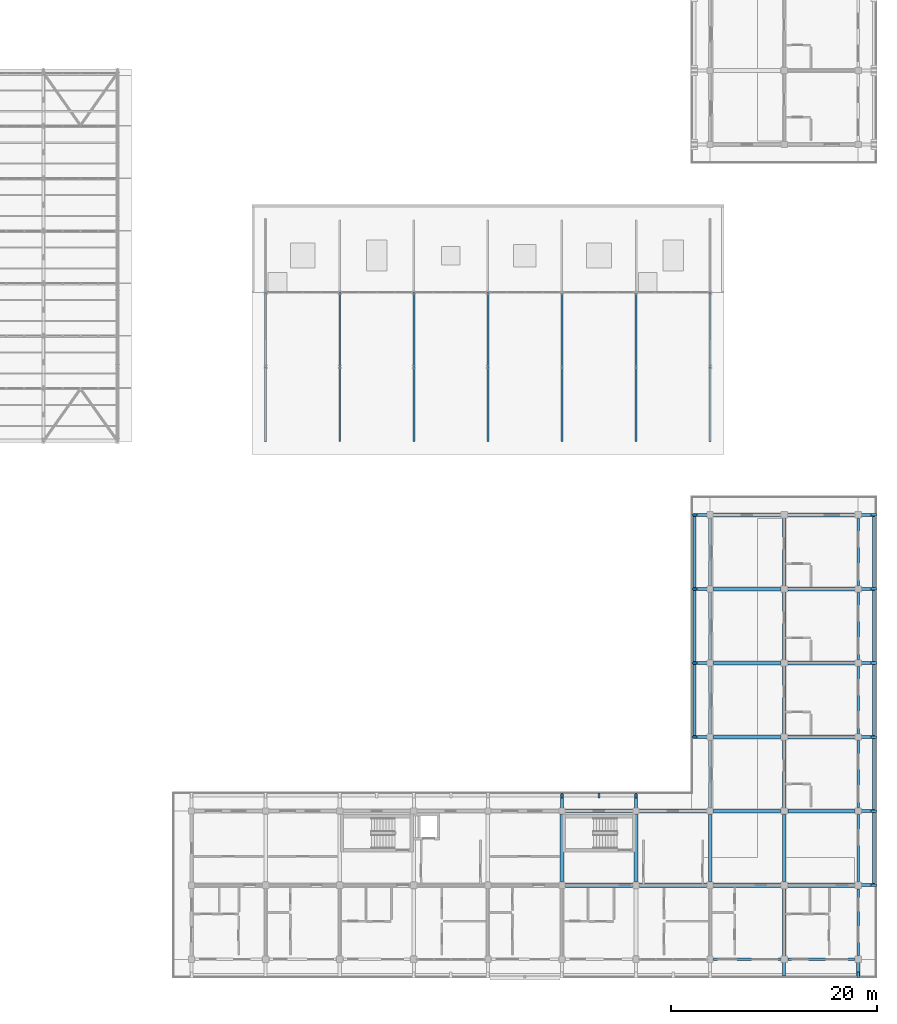
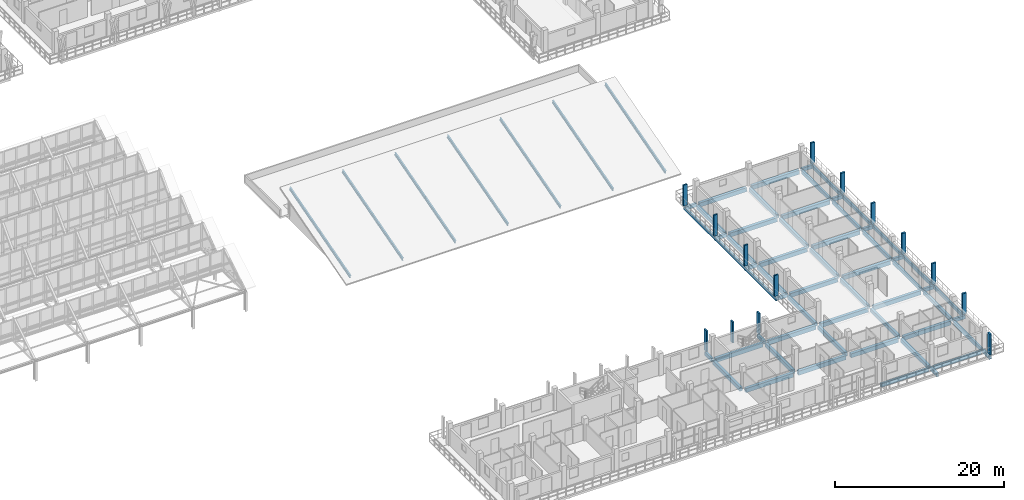
# One storey, part 81 of 157: 67 beams, 14 members.
"""IFC4 building model written with IfcOpenShell, lengths in metres."""

from ifc_helpers import new_model, si_unit, direction, frame, origin, origin_2d, place, context, subcontext, project, spatial, rectangle, i_section, extrude, material, material_profile, profile_set, type_object, element, save


model = new_model("IFC4")

# Units and contexts
model_context = context("Model", 3, precision=1e-05, world=origin(), true_north=direction((0.0, 1.0)))
body_context = subcontext(model_context, "Body", "Model", "MODEL_VIEW")
ifc_project = project(units=[si_unit("LENGTHUNIT", "METRE"), si_unit("AREAUNIT", "SQUARE_METRE"), si_unit("VOLUMEUNIT", "CUBIC_METRE"), si_unit("PLANEANGLEUNIT", "RADIAN"), si_unit("MASSUNIT", "GRAM", prefix="KILO")], contexts=[model_context])

# Site, building, storey
site_placement = place(None, origin())
site = spatial("IfcSite", under=ifc_project, at=site_placement, CompositionType="ELEMENT")
building_placement = place(site_placement, origin())
building = spatial("IfcBuilding", under=site, at=building_placement, Name="Suanplinth Sawtooth Commons", CompositionType="ELEMENT")
storey_placement = place(building_placement, frame((0.0, 0.0, 9.0)))
storey = spatial("IfcBuildingStorey", under=building, at=storey_placement, Name="L02", CompositionType="ELEMENT", Elevation=9.0)

# Beams
ifc_material_1 = material(Name="Precast concrete C40/50", Category="concrete")
ifc_material_profile_1 = material_profile(ifc_material_1, rectangle(XDim=0.39990234375, YDim=0.60009765625, at=origin_2d()), Name="PC-GDR 400x600")
ifc_profile_set_1 = profile_set([ifc_material_profile_1], Name="Precast concrete C40/50")
beam_type_1 = type_object("IfcBeamType", Name="B-05", PredefinedType="USERDEFINED", material=ifc_profile_set_1)
for number, where, z_axis, x_axis, name in (
    (1, (158.75, 7.199951171875, -0.550048828125), (1.0, 0.0, 0.0), (0.0, 1.0, 0.0), "BMX-L02-C-22-1"),
    (2, (158.75, 14.39990234375, -0.550048828125), (1.0, 0.0, 0.0), (0.0, 1.0, 0.0), "BMX-L02-C-22-2"),
    (3, (165.949951171875, 7.199951171875, -0.550048828125), (1.0, 0.0, 0.0), (0.0, 1.0, 0.0), "BMX-L02-C-23-1"),
    (4, (165.949951171875, 14.39990234375, -0.550048828125), (1.0, 0.0, 0.0), (0.0, 1.0, 0.0), "BMX-L02-C-23-2"),
    (5, (173.14990234375, 7.199951171875, -0.550048828125), (1.0, 0.0, 0.0), (0.0, 1.0, 0.0), "BMX-L02-C-24-1"),
    (6, (173.14990234375, 14.39990234375, -0.550048828125), (1.0, 0.0, 0.0), (0.0, 1.0, 0.0), "BMX-L02-C-24-2"),
    (7, (173.14990234375, 21.60009765625, -0.550048828125), (1.0, 0.0, 0.0), (0.0, 1.0, 0.0), "BMX-L02-C-24-3"),
    (8, (173.14990234375, 28.800048828125, -0.550048828125), (1.0, 0.0, 0.0), (0.0, 1.0, 0.0), "BMX-L02-C-24-4"),
    (9, (173.14990234375, 36.0, -0.550048828125), (1.0, 0.0, 0.0), (0.0, 1.0, 0.0), "BMX-L02-C-24-5"),
    (10, (173.14990234375, 43.199951171875, -0.550048828125), (1.0, 0.0, 0.0), (0.0, 1.0, 0.0), "BMX-L02-C-24-6"),
    (11, (180.35009765625, 7.199951171875, -0.550048828125), (1.0, 0.0, 0.0), (0.0, 1.0, 0.0), "BMX-L02-C-25-1"),
    (12, (180.35009765625, 14.39990234375, -0.550048828125), (1.0, 0.0, 0.0), (0.0, 1.0, 0.0), "BMX-L02-C-25-2"),
    (13, (180.35009765625, 21.60009765625, -0.550048828125), (1.0, 0.0, 0.0), (0.0, 1.0, 0.0), "BMX-L02-C-25-3"),
    (14, (180.35009765625, 28.800048828125, -0.550048828125), (1.0, 0.0, 0.0), (0.0, 1.0, 0.0), "BMX-L02-C-25-4"),
    (15, (180.35009765625, 36.0, -0.550048828125), (1.0, 0.0, 0.0), (0.0, 1.0, 0.0), "BMX-L02-C-25-5"),
    (16, (180.35009765625, 43.199951171875, -0.550048828125), (1.0, 0.0, 0.0), (0.0, 1.0, 0.0), "BMX-L02-C-25-6"),
):
    element("IfcBeam", number, at=place(storey_placement, frame(where, z_axis=z_axis, x_axis=x_axis)), inside=storey, type_object=beam_type_1, Name=name, ObjectType="GIRDER", PredefinedType="USERDEFINED", context=body_context, shape_type="SweptSolid", body=[
        extrude(rectangle(XDim=0.39990234375, YDim=0.60009765625, at=origin_2d()), origin(), (0.0, 0.0, 1.0), 6.5),
    ])
ifc_material_profile_2 = material_profile(ifc_material_1, rectangle(XDim=0.35009765625, YDim=0.550048828125, at=origin_2d()), Name="PC-BM 350x550")
ifc_profile_set_2 = profile_set([ifc_material_profile_2], Name="Precast concrete C40/50")
beam_type_2 = type_object("IfcBeamType", Name="B-06", PredefinedType="BEAM", material=ifc_profile_set_2)
for number, where, z_axis, x_axis, name in (
    (17, (158.39990234375, 7.550048828125, -0.52490234375), (0.0, 1.0, 0.0), (-1.0, 0.0, 0.0), "BMY-L02-C-22-1"),
    (18, (165.60009765625, 7.550048828125, -0.52490234375), (0.0, 1.0, 0.0), (-1.0, 0.0, 0.0), "BMY-L02-C-23-1"),
    (19, (172.800048828125, 7.550048828125, -0.52490234375), (0.0, 1.0, 0.0), (-1.0, 0.0, 0.0), "BMY-L02-C-24-1"),
    (20, (172.800048828125, 14.75, -0.52490234375), (0.0, 1.0, 0.0), (-1.0, 0.0, 0.0), "BMY-L02-C-24-2"),
    (21, (172.800048828125, 21.949951171875, -0.52490234375), (0.0, 1.0, 0.0), (-1.0, 0.0, 0.0), "BMY-L02-C-24-3"),
    (22, (172.800048828125, 29.14990234375, -0.52490234375), (0.0, 1.0, 0.0), (-1.0, 0.0, 0.0), "BMY-L02-C-24-4"),
    (23, (172.800048828125, 36.35009765625, -0.52490234375), (0.0, 1.0, 0.0), (-1.0, 0.0, 0.0), "BMY-L02-C-24-5"),
    (24, (180.0, 0.35009765625, -0.52490234375), (0.0, 1.0, 0.0), (-1.0, 0.0, 0.0), "BMY-L02-C-25-0"),
    (25, (180.0, 7.550048828125, -0.52490234375), (0.0, 1.0, 0.0), (-1.0, 0.0, 0.0), "BMY-L02-C-25-1"),
    (26, (180.0, 14.75, -0.52490234375), (0.0, 1.0, 0.0), (-1.0, 0.0, 0.0), "BMY-L02-C-25-2"),
    (27, (180.0, 21.949951171875, -0.52490234375), (0.0, 1.0, 0.0), (-1.0, 0.0, 0.0), "BMY-L02-C-25-3"),
    (28, (180.0, 29.14990234375, -0.52490234375), (0.0, 1.0, 0.0), (-1.0, 0.0, 0.0), "BMY-L02-C-25-4"),
    (29, (180.0, 36.35009765625, -0.52490234375), (0.0, 1.0, 0.0), (-1.0, 0.0, 0.0), "BMY-L02-C-25-5"),
):
    element("IfcBeam", number, at=place(storey_placement, frame(where, z_axis=z_axis, x_axis=x_axis)), inside=storey, type_object=beam_type_2, Name=name, PredefinedType="BEAM", context=body_context, shape_type="SweptSolid", body=[
        extrude(rectangle(XDim=0.35009765625, YDim=0.550048828125, at=origin_2d()), origin(), (0.0, 0.0, 1.0), 6.5),
    ])
ifc_material_profile_3 = material_profile(ifc_material_1, rectangle(XDim=0.300048828125, YDim=0.5, at=origin_2d()), Name="PC-BM 300x500")
ifc_profile_set_3 = profile_set([ifc_material_profile_3], Name="Precast concrete C40/50")
beam_type_3 = type_object("IfcBeamType", Name="B-07", PredefinedType="BEAM", material=ifc_profile_set_3)
for number, where, z_axis, x_axis, name in (
    (30, (180.0, 0.0, -0.429931640625), (0.0, -1.0, 0.0), (1.0, 0.0, 0.0), "Balcony Outrigger L02-C-S-25"),
    (31, (187.199951171875, 0.0, -0.429931640625), (0.0, -1.0, 0.0), (1.0, 0.0, 0.0), "Balcony Outrigger L02-C-S-26"),
):
    element("IfcBeam", number, at=place(storey_placement, frame(where, z_axis=z_axis, x_axis=x_axis)), inside=storey, type_object=beam_type_3, Name=name, PredefinedType="BEAM", context=body_context, shape_type="SweptSolid", body=[
        extrude(rectangle(XDim=0.300048828125, YDim=0.5, at=origin_2d()), origin(), (0.0, 0.0, 1.0), 1.639892578125),
    ])
for number, where, z_axis, x_axis, name in (
    (32, (187.199951171875, 7.199951171875, -0.429931640625), (1.0, 0.0, 0.0), (0.0, 1.0, 0.0), "Balcony Outrigger L02-C-E-1"),
    (33, (187.199951171875, 14.39990234375, -0.429931640625), (1.0, 0.0, 0.0), (0.0, 1.0, 0.0), "Balcony Outrigger L02-C-E-2"),
    (34, (187.199951171875, 21.60009765625, -0.429931640625), (1.0, 0.0, 0.0), (0.0, 1.0, 0.0), "Balcony Outrigger L02-C-E-3"),
    (35, (187.199951171875, 28.800048828125, -0.429931640625), (1.0, 0.0, 0.0), (0.0, 1.0, 0.0), "Balcony Outrigger L02-C-E-4"),
    (36, (187.199951171875, 36.0, -0.429931640625), (1.0, 0.0, 0.0), (0.0, 1.0, 0.0), "Balcony Outrigger L02-C-E-5"),
    (37, (187.199951171875, 43.199951171875, -0.429931640625), (1.0, 0.0, 0.0), (0.0, 1.0, 0.0), "Balcony Outrigger L02-C-E-6"),
    (38, (158.39990234375, 14.39990234375, -0.425048828125), (0.0, 1.0, 0.0), (-1.0, 0.0, 0.0), "Balcony Outrigger L02-C-NC-22"),
    (39, (165.60009765625, 14.39990234375, -0.425048828125), (0.0, 1.0, 0.0), (-1.0, 0.0, 0.0), "Balcony Outrigger L02-C-NC-23"),
    (40, (172.800048828125, 21.60009765625, -0.425048828125), (-1.0, 0.0, 0.0), (0.0, -1.0, 0.0), "Balcony Outrigger L02-C-WC-3"),
    (41, (172.800048828125, 28.800048828125, -0.425048828125), (-1.0, 0.0, 0.0), (0.0, -1.0, 0.0), "Balcony Outrigger L02-C-WC-4"),
    (42, (172.800048828125, 36.0, -0.425048828125), (-1.0, 0.0, 0.0), (0.0, -1.0, 0.0), "Balcony Outrigger L02-C-WC-5"),
    (43, (172.800048828125, 43.199951171875, -0.425048828125), (-1.0, 0.0, 0.0), (0.0, -1.0, 0.0), "Balcony Outrigger L02-C-WC-6"),
):
    element("IfcBeam", number, at=place(storey_placement, frame(where, z_axis=z_axis, x_axis=x_axis)), inside=storey, type_object=beam_type_3, Name=name, PredefinedType="BEAM", context=body_context, shape_type="SweptSolid", body=[
        extrude(rectangle(XDim=0.300048828125, YDim=0.5, at=origin_2d()), origin(), (0.0, 0.0, 1.0), 1.64013671875),
    ])
ifc_material_profile_4 = material_profile(ifc_material_1, rectangle(XDim=0.280029296875, YDim=0.52001953125, at=origin_2d()), Name="PC-SP 280x520")
ifc_profile_set_4 = profile_set([ifc_material_profile_4], Name="Precast concrete C40/50")
beam_type_4 = type_object("IfcBeamType", Name="B-08", PredefinedType="SPANDREL", material=ifc_profile_set_4)
for number, where, z_axis, x_axis, name in (
    (44, (173.14990234375, 0.0, -0.510009765625), (1.0, 0.0, 0.0), (0.0, 1.0, 0.0), "BMX-L02-C-24-0"),
    (45, (180.35009765625, 0.0, -0.510009765625), (1.0, 0.0, 0.0), (0.0, 1.0, 0.0), "BMX-L02-C-25-0"),
    (46, (187.199951171875, 0.35009765625, -0.510009765625), (0.0, 1.0, 0.0), (-1.0, 0.0, 0.0), "BMY-L02-C-26-0"),
    (47, (187.199951171875, 7.550048828125, -0.510009765625), (0.0, 1.0, 0.0), (-1.0, 0.0, 0.0), "BMY-L02-C-26-1"),
    (48, (187.199951171875, 14.75, -0.510009765625), (0.0, 1.0, 0.0), (-1.0, 0.0, 0.0), "BMY-L02-C-26-2"),
    (49, (187.199951171875, 21.949951171875, -0.510009765625), (0.0, 1.0, 0.0), (-1.0, 0.0, 0.0), "BMY-L02-C-26-3"),
    (50, (187.199951171875, 29.14990234375, -0.510009765625), (0.0, 1.0, 0.0), (-1.0, 0.0, 0.0), "BMY-L02-C-26-4"),
    (51, (187.199951171875, 36.35009765625, -0.510009765625), (0.0, 1.0, 0.0), (-1.0, 0.0, 0.0), "BMY-L02-C-26-5"),
):
    element("IfcBeam", number, at=place(storey_placement, frame(where, z_axis=z_axis, x_axis=x_axis)), inside=storey, type_object=beam_type_4, Name=name, PredefinedType="SPANDREL", context=body_context, shape_type="SweptSolid", body=[
        extrude(rectangle(XDim=0.280029296875, YDim=0.52001953125, at=origin_2d()), origin(), (0.0, 0.0, 1.0), 6.5),
    ])
ifc_material_profile_5 = material_profile(ifc_material_1, rectangle(XDim=0.25, YDim=0.449951171875, at=origin_2d()), Name="PC-SP 250x450")
ifc_profile_set_5 = profile_set([ifc_material_profile_5], Name="Precast concrete C40/50")
beam_type_5 = type_object("IfcBeamType", Name="B-09", PredefinedType="SPANDREL", material=ifc_profile_set_5)
beam_1_placement = place(storey_placement, frame((188.719970703125, 7.050048828125, -0.405029296875), z_axis=(0.0, 1.0, 0.0), x_axis=(-1.0, 0.0, 0.0)))
element("IfcBeam", 52, at=beam_1_placement, inside=storey, type_object=beam_type_5, Name="Balcony Edge Fascia L02-C-E", PredefinedType="SPANDREL", context=body_context, shape_type="SweptSolid", body=[
    extrude(rectangle(XDim=0.25, YDim=0.449951171875, at=origin_2d()), origin(), (0.0, 0.0, 1.0), 36.300048828125),
])
beam_2_placement = place(storey_placement, frame((171.280029296875, 21.449951171875, -0.39990234375), z_axis=(0.0, 1.0, 0.0), x_axis=(-1.0, 0.0, 0.0)))
element("IfcBeam", 53, at=beam_2_placement, inside=storey, type_object=beam_type_5, Name="Balcony Edge Fascia L02-C-WC", PredefinedType="SPANDREL", context=body_context, shape_type="SweptSolid", body=[
    extrude(rectangle(XDim=0.25, YDim=0.449951171875, at=origin_2d()), origin(), (0.0, 0.0, 1.0), 21.900146484375),
])
ifc_material_2 = material(Name="Steel S355JR", Category="steel")
ifc_material_profile_6 = material_profile(ifc_material_2, i_section(OverallWidth=0.18994140625, OverallDepth=0.449951171875, WebThickness=0.009521484375, FlangeThickness=0.0146484375, at=origin_2d()), Name="IPE 450")
ifc_profile_set_6 = profile_set([ifc_material_profile_6], Name="Steel S355JR")
beam_type_6 = type_object("IfcBeamType", Name="B-11", PredefinedType="USERDEFINED", material=ifc_profile_set_6)
beam_3_placement = place(storey_placement, frame((129.60009765625, 50.39990234375, -0.14990234375), z_axis=(0.0, 0.961431629991, 0.27504403439), x_axis=(-1.0, 0.0, 0.0)))
element("IfcBeam", 54, at=beam_3_placement, inside=storey, type_object=beam_type_6, Name="Nursery Mono-Pitch Lower Rafter 19", ObjectType="GIRDER", PredefinedType="USERDEFINED", context=body_context, shape_type="SweptSolid", body=[
    extrude(i_section(OverallWidth=0.18994140625, OverallDepth=0.449951171875, WebThickness=0.009521484375, FlangeThickness=0.0146484375, at=origin_2d()), origin(), (0.0, 0.0, 1.0), 7.489013671875),
])
beam_4_placement = place(storey_placement, frame((129.60009765625, 57.60009765625, 1.909912109375), z_axis=(0.0, 0.96106638319, 0.276317583774), x_axis=(-1.0, 0.0, 0.0)))
element("IfcBeam", 55, at=beam_4_placement, inside=storey, type_object=beam_type_6, Name="Nursery Mono-Pitch Upper Rafter 19", ObjectType="GIRDER", PredefinedType="USERDEFINED", context=body_context, shape_type="SweptSolid", body=[
    extrude(i_section(OverallWidth=0.18994140625, OverallDepth=0.449951171875, WebThickness=0.009521484375, FlangeThickness=0.0146484375, at=origin_2d()), origin(), (0.0, 0.0, 1.0), 7.49169921875),
])
beam_5_placement = place(storey_placement, frame((136.800048828125, 50.39990234375, -0.14990234375), z_axis=(0.0, 0.961431629991, 0.27504403439), x_axis=(-1.0, 0.0, 0.0)))
element("IfcBeam", 56, at=beam_5_placement, inside=storey, type_object=beam_type_6, Name="Nursery Mono-Pitch Lower Rafter 20", ObjectType="GIRDER", PredefinedType="USERDEFINED", context=body_context, shape_type="SweptSolid", body=[
    extrude(i_section(OverallWidth=0.18994140625, OverallDepth=0.449951171875, WebThickness=0.009521484375, FlangeThickness=0.0146484375, at=origin_2d()), origin(), (0.0, 0.0, 1.0), 7.489013671875),
])
beam_6_placement = place(storey_placement, frame((136.800048828125, 57.60009765625, 1.909912109375), z_axis=(0.0, 0.96106638319, 0.276317583774), x_axis=(-1.0, 0.0, 0.0)))
element("IfcBeam", 57, at=beam_6_placement, inside=storey, type_object=beam_type_6, Name="Nursery Mono-Pitch Upper Rafter 20", ObjectType="GIRDER", PredefinedType="USERDEFINED", context=body_context, shape_type="SweptSolid", body=[
    extrude(i_section(OverallWidth=0.18994140625, OverallDepth=0.449951171875, WebThickness=0.009521484375, FlangeThickness=0.0146484375, at=origin_2d()), origin(), (0.0, 0.0, 1.0), 7.49169921875),
])
beam_7_placement = place(storey_placement, frame((144.0, 50.39990234375, -0.14990234375), z_axis=(0.0, 0.961431629991, 0.27504403439), x_axis=(-1.0, 0.0, 0.0)))
element("IfcBeam", 58, at=beam_7_placement, inside=storey, type_object=beam_type_6, Name="Nursery Mono-Pitch Lower Rafter 21", ObjectType="GIRDER", PredefinedType="USERDEFINED", context=body_context, shape_type="SweptSolid", body=[
    extrude(i_section(OverallWidth=0.18994140625, OverallDepth=0.449951171875, WebThickness=0.009521484375, FlangeThickness=0.0146484375, at=origin_2d()), origin(), (0.0, 0.0, 1.0), 7.489013671875),
])
beam_8_placement = place(storey_placement, frame((144.0, 57.60009765625, 1.909912109375), z_axis=(0.0, 0.96106638319, 0.276317583774), x_axis=(-1.0, 0.0, 0.0)))
element("IfcBeam", 59, at=beam_8_placement, inside=storey, type_object=beam_type_6, Name="Nursery Mono-Pitch Upper Rafter 21", ObjectType="GIRDER", PredefinedType="USERDEFINED", context=body_context, shape_type="SweptSolid", body=[
    extrude(i_section(OverallWidth=0.18994140625, OverallDepth=0.449951171875, WebThickness=0.009521484375, FlangeThickness=0.0146484375, at=origin_2d()), origin(), (0.0, 0.0, 1.0), 7.49169921875),
])
beam_9_placement = place(storey_placement, frame((151.199951171875, 50.39990234375, -0.14990234375), z_axis=(0.0, 0.961431629991, 0.27504403439), x_axis=(-1.0, 0.0, 0.0)))
element("IfcBeam", 60, at=beam_9_placement, inside=storey, type_object=beam_type_6, Name="Nursery Mono-Pitch Lower Rafter 22", ObjectType="GIRDER", PredefinedType="USERDEFINED", context=body_context, shape_type="SweptSolid", body=[
    extrude(i_section(OverallWidth=0.18994140625, OverallDepth=0.449951171875, WebThickness=0.009521484375, FlangeThickness=0.0146484375, at=origin_2d()), origin(), (0.0, 0.0, 1.0), 7.489013671875),
])
beam_10_placement = place(storey_placement, frame((151.199951171875, 57.60009765625, 1.909912109375), z_axis=(0.0, 0.96106638319, 0.276317583774), x_axis=(-1.0, 0.0, 0.0)))
element("IfcBeam", 61, at=beam_10_placement, inside=storey, type_object=beam_type_6, Name="Nursery Mono-Pitch Upper Rafter 22", ObjectType="GIRDER", PredefinedType="USERDEFINED", context=body_context, shape_type="SweptSolid", body=[
    extrude(i_section(OverallWidth=0.18994140625, OverallDepth=0.449951171875, WebThickness=0.009521484375, FlangeThickness=0.0146484375, at=origin_2d()), origin(), (0.0, 0.0, 1.0), 7.49169921875),
])
beam_11_placement = place(storey_placement, frame((158.39990234375, 50.39990234375, -0.14990234375), z_axis=(0.0, 0.961431629991, 0.27504403439), x_axis=(-1.0, 0.0, 0.0)))
element("IfcBeam", 62, at=beam_11_placement, inside=storey, type_object=beam_type_6, Name="Nursery Mono-Pitch Lower Rafter 23", ObjectType="GIRDER", PredefinedType="USERDEFINED", context=body_context, shape_type="SweptSolid", body=[
    extrude(i_section(OverallWidth=0.18994140625, OverallDepth=0.449951171875, WebThickness=0.009521484375, FlangeThickness=0.0146484375, at=origin_2d()), origin(), (0.0, 0.0, 1.0), 7.489013671875),
])
beam_12_placement = place(storey_placement, frame((158.39990234375, 57.60009765625, 1.909912109375), z_axis=(0.0, 0.96106638319, 0.276317583774), x_axis=(-1.0, 0.0, 0.0)))
element("IfcBeam", 63, at=beam_12_placement, inside=storey, type_object=beam_type_6, Name="Nursery Mono-Pitch Upper Rafter 23", ObjectType="GIRDER", PredefinedType="USERDEFINED", context=body_context, shape_type="SweptSolid", body=[
    extrude(i_section(OverallWidth=0.18994140625, OverallDepth=0.449951171875, WebThickness=0.009521484375, FlangeThickness=0.0146484375, at=origin_2d()), origin(), (0.0, 0.0, 1.0), 7.49169921875),
])
beam_13_placement = place(storey_placement, frame((165.60009765625, 50.39990234375, -0.14990234375), z_axis=(0.0, 0.961431629991, 0.27504403439), x_axis=(-1.0, 0.0, 0.0)))
element("IfcBeam", 64, at=beam_13_placement, inside=storey, type_object=beam_type_6, Name="Nursery Mono-Pitch Lower Rafter 24", ObjectType="GIRDER", PredefinedType="USERDEFINED", context=body_context, shape_type="SweptSolid", body=[
    extrude(i_section(OverallWidth=0.18994140625, OverallDepth=0.449951171875, WebThickness=0.009521484375, FlangeThickness=0.0146484375, at=origin_2d()), origin(), (0.0, 0.0, 1.0), 7.489013671875),
])
beam_14_placement = place(storey_placement, frame((165.60009765625, 57.60009765625, 1.909912109375), z_axis=(0.0, 0.96106638319, 0.276317583774), x_axis=(-1.0, 0.0, 0.0)))
element("IfcBeam", 65, at=beam_14_placement, inside=storey, type_object=beam_type_6, Name="Nursery Mono-Pitch Upper Rafter 24", ObjectType="GIRDER", PredefinedType="USERDEFINED", context=body_context, shape_type="SweptSolid", body=[
    extrude(i_section(OverallWidth=0.18994140625, OverallDepth=0.449951171875, WebThickness=0.009521484375, FlangeThickness=0.0146484375, at=origin_2d()), origin(), (0.0, 0.0, 1.0), 7.49169921875),
])
beam_15_placement = place(storey_placement, frame((172.800048828125, 50.39990234375, -0.14990234375), z_axis=(0.0, 0.961431629991, 0.27504403439), x_axis=(-1.0, 0.0, 0.0)))
element("IfcBeam", 66, at=beam_15_placement, inside=storey, type_object=beam_type_6, Name="Nursery Mono-Pitch Lower Rafter 25", ObjectType="GIRDER", PredefinedType="USERDEFINED", context=body_context, shape_type="SweptSolid", body=[
    extrude(i_section(OverallWidth=0.18994140625, OverallDepth=0.449951171875, WebThickness=0.009521484375, FlangeThickness=0.0146484375, at=origin_2d()), origin(), (0.0, 0.0, 1.0), 7.489013671875),
])
beam_16_placement = place(storey_placement, frame((172.800048828125, 57.60009765625, 1.909912109375), z_axis=(0.0, 0.96106638319, 0.276317583774), x_axis=(-1.0, 0.0, 0.0)))
element("IfcBeam", 67, at=beam_16_placement, inside=storey, type_object=beam_type_6, Name="Nursery Mono-Pitch Upper Rafter 25", ObjectType="GIRDER", PredefinedType="USERDEFINED", context=body_context, shape_type="SweptSolid", body=[
    extrude(i_section(OverallWidth=0.18994140625, OverallDepth=0.449951171875, WebThickness=0.009521484375, FlangeThickness=0.0146484375, at=origin_2d()), origin(), (0.0, 0.0, 1.0), 7.49169921875),
])

# Members
ifc_material_3 = material(Name="Pigmented precast concrete C40/50", Category="concrete")
ifc_material_profile_7 = material_profile(ifc_material_3, rectangle(XDim=0.25, YDim=0.5400390625, at=origin_2d()), Name="PC-FIN 250x540")
ifc_profile_set_7 = profile_set([ifc_material_profile_7], Name="Pigmented precast concrete C40/50")
member_type_1 = type_object("IfcMemberType", Name="M-11", PredefinedType="USERDEFINED", material=ifc_profile_set_7)
for number, where, z_axis, x_axis, name in (
    (68, (187.199951171875, -1.52001953125, 0.0), (0.0, 0.0, 1.0), (1.0, 0.0, 0.0), "Upright Solar Blade L02-C-S-09"),
    (69, (188.719970703125, 7.199951171875, 0.0), (0.0, 0.0, 1.0), (0.0, 1.0, 0.0), "Upright Solar Blade L02-C-E-10"),
    (70, (188.719970703125, 14.39990234375, 0.0), (0.0, 0.0, 1.0), (0.0, 1.0, 0.0), "Upright Solar Blade L02-C-E-11"),
    (71, (188.719970703125, 21.60009765625, 0.0), (0.0, 0.0, 1.0), (0.0, 1.0, 0.0), "Upright Solar Blade L02-C-E-12"),
    (72, (188.719970703125, 28.800048828125, 0.0), (0.0, 0.0, 1.0), (0.0, 1.0, 0.0), "Upright Solar Blade L02-C-E-13"),
    (73, (188.719970703125, 36.0, 0.0), (0.0, 0.0, 1.0), (0.0, 1.0, 0.0), "Upright Solar Blade L02-C-E-14"),
    (74, (188.719970703125, 43.199951171875, 0.0), (0.0, 0.0, 1.0), (0.0, 1.0, 0.0), "Upright Solar Blade L02-C-E-15"),
):
    element("IfcMember", number, at=place(storey_placement, frame(where, z_axis=z_axis, x_axis=x_axis)), inside=storey, type_object=member_type_1, Name=name, ObjectType="SHADING FIN", PredefinedType="USERDEFINED", context=body_context, shape_type="SweptSolid", body=[
        extrude(rectangle(XDim=0.25, YDim=0.5400390625, at=origin_2d()), origin(), (0.0, 0.0, 1.0), 3.030029296875),
    ])
ifc_material_profile_8 = material_profile(ifc_material_3, rectangle(XDim=0.2099609375, YDim=0.52001953125, at=origin_2d()), Name="PC-FIN 210x520")
ifc_profile_set_8 = profile_set([ifc_material_profile_8], Name="Pigmented precast concrete C40/50")
member_type_2 = type_object("IfcMemberType", Name="M-12", PredefinedType="USERDEFINED", material=ifc_profile_set_8)
for number, where, z_axis, x_axis, name in (
    (75, (158.39990234375, 15.919921875, 0.0), (0.0, 0.0, 1.0), (1.0, 0.0, 0.0), "Upright Solar Blade L02-C-NC-23"),
    (76, (162.0, 15.919921875, 0.0), (0.0, 0.0, 1.0), (1.0, 0.0, 0.0), "Upright Solar Blade L02-C-NC-24"),
    (77, (165.60009765625, 15.919921875, 0.0), (0.0, 0.0, 1.0), (1.0, 0.0, 0.0), "Upright Solar Blade L02-C-NC-25"),
    (78, (171.280029296875, 21.60009765625, 0.0), (0.0, 0.0, 1.0), (0.0, 1.0, 0.0), "Upright Solar Blade L02-C-WC-26"),
    (79, (171.280029296875, 28.800048828125, 0.0), (0.0, 0.0, 1.0), (0.0, 1.0, 0.0), "Upright Solar Blade L02-C-WC-27"),
    (80, (171.280029296875, 36.0, 0.0), (0.0, 0.0, 1.0), (0.0, 1.0, 0.0), "Upright Solar Blade L02-C-WC-28"),
    (81, (171.280029296875, 43.199951171875, 0.0), (0.0, 0.0, 1.0), (0.0, 1.0, 0.0), "Upright Solar Blade L02-C-WC-29"),
):
    element("IfcMember", number, at=place(storey_placement, frame(where, z_axis=z_axis, x_axis=x_axis)), inside=storey, type_object=member_type_2, Name=name, ObjectType="SHADING FIN", PredefinedType="USERDEFINED", context=body_context, shape_type="SweptSolid", body=[
        extrude(rectangle(XDim=0.2099609375, YDim=0.52001953125, at=origin_2d()), origin(), (0.0, 0.0, 1.0), 3.030029296875),
    ])

save(model, "model.ifc")
